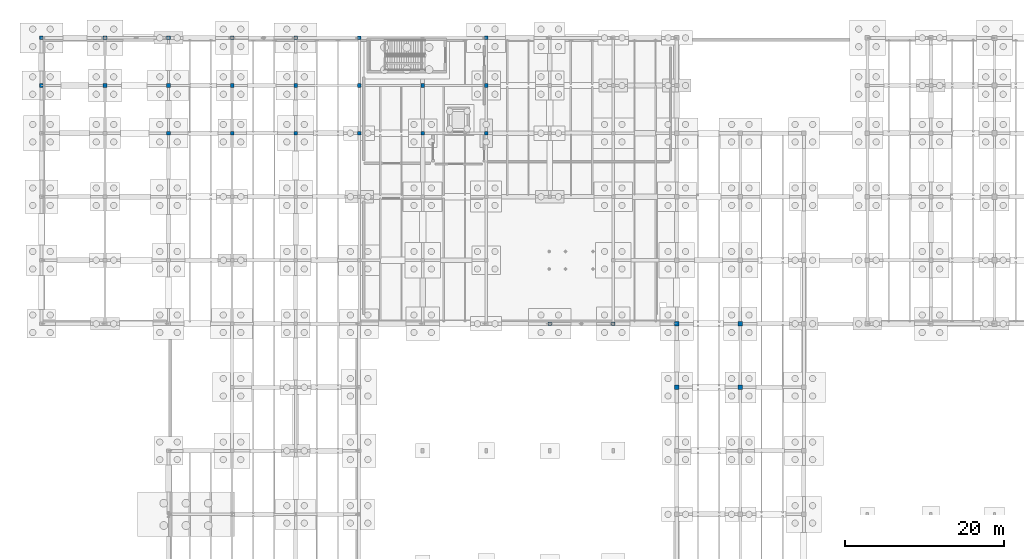
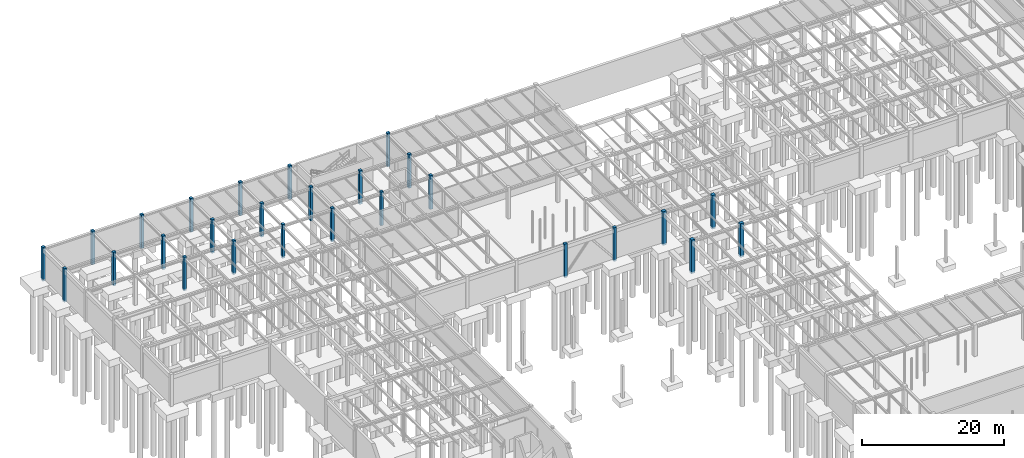
# One storey, part 19 of 71: 27 columns.
"""IFC4 building model written with IfcOpenShell, lengths in metres."""

import ifcopenshell
import ifcopenshell.guid

model = None  # the IFC model being written
_history = None  # IfcOwnerHistory: only IFC2X3 demands one
_inside = {}  # id of a spatial element -> (the spatial element, [elements in it])
_under = {}  # id of a project, library or spatial element -> (it, [spatial elements below it])
_declared = {}  # id of a project -> (the project, [libraries it declares])
_typed = {}  # id of a type object -> (the type object, [elements of that type])
_made_of = {}  # id of a material, layer set ... -> (it, [elements and type objects made of it])


def new_model(schema):
    """Start an empty IFC model of exactly this schema.

    Asked for "IFC4X3", IfcOpenShell would pick the latest addendum, in which some entities
    have other attributes; the version numbers below select the first issue.
    IFC2X3 requires an IfcOwnerHistory on every rooted entity: one is made here for all.
    """
    global model, _history
    if schema == "IFC4X3":
        model = ifcopenshell.file(schema_version=(4, 3, 0, 0))
    else:
        model = ifcopenshell.file(schema=schema)
    _inside.clear()
    _under.clear()
    _declared.clear()
    _typed.clear()
    _made_of.clear()
    _history = None
    if model.schema == "IFC2X3":
        org = make("IfcOrganization", Name="unknown")
        user = make(
            "IfcPersonAndOrganization",
            ThePerson=make("IfcPerson", FamilyName="unknown"),
            TheOrganization=org,
        )
        app = make(
            "IfcApplication",
            ApplicationDeveloper=org,
            Version="unknown",
            ApplicationFullName="unknown",
            ApplicationIdentifier="unknown",
        )
        _history = make(
            "IfcOwnerHistory",
            OwningUser=user,
            OwningApplication=app,
            ChangeAction="ADDED",
            CreationDate=0,
        )
    return model


def make(cls, **values):
    """One entity of the class cls with the attributes given. An attribute that is None is left unset."""
    return model.create_entity(
        cls, **{name: value for name, value in values.items() if value is not None}
    )


def rooted(cls, **values):
    """An entity with a GlobalId (a new one), such as an element, a storey or a relation."""
    return make(cls, GlobalId=ifcopenshell.guid.new(), OwnerHistory=_history, **values)


def si_unit(unit_type, name, prefix=None):
    """IfcSIUnit, for example si_unit("LENGTHUNIT", "METRE", prefix="MILLI")."""
    return make("IfcSIUnit", UnitType=unit_type, Prefix=prefix, Name=name)


def assignment(units):
    """IfcUnitAssignment: the units of a project."""
    return None if units is None else make("IfcUnitAssignment", Units=units)


def point(xyz):
    """IfcCartesianPoint."""
    return None if xyz is None else make("IfcCartesianPoint", Coordinates=xyz)


def direction(xyz):
    """IfcDirection."""
    return None if xyz is None else make("IfcDirection", DirectionRatios=xyz)


def frame(location, z_axis=None, x_axis=None):
    """IfcAxis2Placement3D, a coordinate frame: its origin and axes. An axis left out is left unset."""
    return make(
        "IfcAxis2Placement3D",
        Location=point(location),
        Axis=direction(z_axis),
        RefDirection=direction(x_axis),
    )


def frame_2d(location, x_axis=None):
    """IfcAxis2Placement2D, a coordinate frame in the plane: its origin and x axis."""
    return make(
        "IfcAxis2Placement2D", Location=point(location), RefDirection=direction(x_axis)
    )


def origin():
    """The frame at (0, 0, 0) with its axes left unset."""
    return frame((0.0, 0.0, 0.0))


def origin_2d():
    """The frame at (0, 0) in the plane with its x axis left unset."""
    return frame_2d((0.0, 0.0))


def place(relative_to, where):
    """IfcLocalPlacement: puts the frame where relative to a parent placement (None: the world)."""
    return make(
        "IfcLocalPlacement", PlacementRelTo=relative_to, RelativePlacement=where
    )


def context(
    kind, dimensions, precision=None, world=None, true_north=None, identifier=None
):
    """IfcGeometricRepresentationContext, for example the 3D "Model" context."""
    return make(
        "IfcGeometricRepresentationContext",
        ContextIdentifier=identifier,
        ContextType=kind,
        CoordinateSpaceDimension=dimensions,
        Precision=precision,
        WorldCoordinateSystem=world,
        TrueNorth=true_north,
    )


def subcontext(parent, identifier, kind, view, scale=None):
    """IfcGeometricRepresentationSubContext, for example "Body" below "Model"."""
    return make(
        "IfcGeometricRepresentationSubContext",
        ContextIdentifier=identifier,
        ContextType=kind,
        ParentContext=parent,
        TargetScale=scale,
        TargetView=view,
    )


def project(units=None, contexts=None):
    """IfcProject with its units and contexts."""
    return rooted(
        "IfcProject",
        Name="project",
        RepresentationContexts=contexts,
        UnitsInContext=assignment(units),
    )


def spatial(cls, under=None, at=None, **own):
    """A site, building, storey or space (cls), placed at a placement, below another one or the project."""
    s = rooted(cls, ObjectPlacement=at, **own)
    if under is not None:
        _under.setdefault(under.id(), (under, []))[1].append(s)
    return s


def profile(cls, at=None, kind="AREA", **sizes):
    """A parametric profile (cls). Its sizes go by their IFC names, for example OverallWidth=200.0."""
    return make(cls, ProfileType=kind, Position=at, **sizes)


def rectangle(**sizes):
    """IfcRectangleProfileDef."""
    return profile("IfcRectangleProfileDef", **sizes)


def extrude(swept, where, along, depth):
    """IfcExtrudedAreaSolid: the profile swept, set in the frame where, extruded along a direction by depth."""
    return make(
        "IfcExtrudedAreaSolid",
        SweptArea=swept,
        Position=where,
        ExtrudedDirection=direction(along),
        Depth=depth,
    )


def shape(context_of_items, identifier, shape_type, items):
    """IfcShapeRepresentation: the items that make up one representation, for example the "Body"."""
    return make(
        "IfcShapeRepresentation",
        ContextOfItems=context_of_items,
        RepresentationIdentifier=identifier,
        RepresentationType=shape_type,
        Items=items,
    )


def material(Name=None, Category=None):
    """IfcMaterial."""
    return make("IfcMaterial", Name=Name, Category=Category)


def material_profile(
    of_material, cross_section, Name=None, Category=None, Priority=None
):
    """IfcMaterialProfile: a cross section and its material."""
    return make(
        "IfcMaterialProfile",
        Name=Name,
        Material=of_material,
        Profile=cross_section,
        Priority=Priority,
        Category=Category,
    )


def profile_set(profiles, Name=None, composite=None):
    """IfcMaterialProfileSet."""
    return make(
        "IfcMaterialProfileSet",
        Name=Name,
        MaterialProfiles=profiles,
        CompositeProfile=composite,
    )


def made_of(thing, what):
    """Note that an element or type object is made of a material, layer set ...; save() writes the relation."""
    if what is not None:
        _made_of.setdefault(what.id(), (what, []))[1].append(thing)
    return thing


def type_object(cls, material=None, **own):
    """A type object (cls), such as IfcWallType, which elements share."""
    return made_of(rooted(cls, **own), material)


def element(
    cls,
    number,
    at=None,
    inside=None,
    cuts=None,
    type_object=None,
    material=None,
    context=None,
    identifier="Body",
    shape_type=None,
    held_by="IfcProductDefinitionShape",
    body=None,
    shapes=None,
    **own,
):
    """One element of the class cls, such as IfcWall. Its Tag is "e" and its number.

    at: its placement. inside: the storey or other place that contains it. cuts: it is an
    opening in that element (IfcRelVoidsElement). A single representation is given by context,
    identifier, shape_type and body (its items); several are given by shapes. held_by: the class
    of the entity that holds the representations. save() writes the other relations.
    """
    e = rooted(cls, Tag="e%d" % number, ObjectPlacement=at, **own)
    if body is not None:
        shapes = [shape(context, identifier, shape_type, body)]
    if shapes is not None:
        e.Representation = make(held_by, Representations=shapes)
    if inside is not None:
        _inside.setdefault(inside.id(), (inside, []))[1].append(e)
    if cuts is not None:
        rooted(
            "IfcRelVoidsElement", RelatingBuildingElement=cuts, RelatedOpeningElement=e
        )
    if type_object is not None:
        _typed.setdefault(type_object.id(), (type_object, []))[1].append(e)
    return made_of(e, material)


def aggregate(whole, parts):
    """IfcRelAggregates: a whole, such as a stair, and the parts it consists of."""
    return rooted("IfcRelAggregates", RelatingObject=whole, RelatedObjects=parts)


def save(model, path):
    """Write the relations noted so far, then the file.

    IfcRelAggregates (storeys below a building ...), IfcRelContainedInSpatialStructure (elements
    in a storey), IfcRelDefinesByType, IfcRelAssociatesMaterial and IfcRelDeclares: one each for
    every whole, place, type object, material and project.
    """
    for whole, parts in _under.values():
        aggregate(whole, parts)
    for where, things in _inside.values():
        rooted(
            "IfcRelContainedInSpatialStructure",
            RelatedElements=things,
            RelatingStructure=where,
        )
    for kind, things in _typed.values():
        rooted("IfcRelDefinesByType", RelatedObjects=things, RelatingType=kind)
    for what, things in _made_of.values():
        rooted("IfcRelAssociatesMaterial", RelatedObjects=things, RelatingMaterial=what)
    for by, libraries in _declared.values():
        rooted("IfcRelDeclares", RelatingContext=by, RelatedDefinitions=libraries)
    model.write(path)


model = new_model("IFC4")

# Units and contexts
model_context = context("Model", 3, precision=1e-05, world=origin(), true_north=direction((0.0, 1.0)))
body_context = subcontext(model_context, "Body", "Model", "MODEL_VIEW")
ifc_project = project(units=[si_unit("LENGTHUNIT", "METRE"), si_unit("AREAUNIT", "SQUARE_METRE"), si_unit("VOLUMEUNIT", "CUBIC_METRE"), si_unit("PLANEANGLEUNIT", "RADIAN"), si_unit("MASSUNIT", "GRAM", prefix="KILO")], contexts=[model_context])

# Site, building, storey
site_placement = place(None, origin())
site = spatial("IfcSite", under=ifc_project, at=site_placement, CompositionType="ELEMENT")
building_placement = place(site_placement, origin())
building = spatial("IfcBuilding", under=site, at=building_placement, Name="Sundkrona Museum", CompositionType="ELEMENT")
storey_placement = place(building_placement, frame((0.0, 0.0, -5.39990234375)))
storey = spatial("IfcBuildingStorey", under=building, at=storey_placement, Name="B1", CompositionType="ELEMENT", Elevation=-5.39990234375)

# Columns
ifc_material = material(Name="Concrete C40/50", Category="concrete")
ifc_material_profile_1 = material_profile(ifc_material, rectangle(XDim=0.449951171875, YDim=0.449951171875, at=origin_2d()), Name="RC 450x450")
ifc_profile_set_1 = profile_set([ifc_material_profile_1], Name="Concrete C40/50")
column_type_1 = type_object("IfcColumnType", Name="C-RC450", PredefinedType="COLUMN", material=ifc_profile_set_1)
for number, where, z_axis, x_axis, name in (
    (1, (0.0, 108.0, -0.400146484375), (0.0, 0.0, 1.0), (1.0, 0.0, 0.0), "B1 Column Q/1"),
    (2, (0.0, 114.0, -0.400146484375), (0.0, 0.0, 1.0), (1.0, 0.0, 0.0), "B1 Column R/1"),
    (3, (8.0, 108.0, -0.400146484375), (0.0, 0.0, 1.0), (1.0, 0.0, 0.0), "B1 Column Q/2"),
    (4, (8.0, 114.0, -0.400146484375), (0.0, 0.0, 1.0), (1.0, 0.0, 0.0), "B1 Column R/2"),
    (5, (16.0, 102.0, -0.400146484375), (0.0, 0.0, 1.0), (1.0, 0.0, 0.0), "B1 Column P/3"),
    (6, (16.0, 108.0, -0.400146484375), (0.0, 0.0, 1.0), (1.0, 0.0, 0.0), "B1 Column Q/3"),
    (7, (16.0, 114.0, -0.400146484375), (0.0, 0.0, 1.0), (1.0, 0.0, 0.0), "B1 Column R/3"),
    (8, (24.0, 102.0, -0.400146484375), (0.0, 0.0, 1.0), (1.0, 0.0, 0.0), "B1 Column P/4"),
    (9, (24.0, 108.0, -0.400146484375), (0.0, 0.0, 1.0), (1.0, 0.0, 0.0), "B1 Column Q/4"),
    (10, (24.0, 114.0, -0.400146484375), (0.0, 0.0, 1.0), (1.0, 0.0, 0.0), "B1 Column R/4"),
    (11, (32.0, 102.0, -0.400146484375), (0.0, 0.0, 1.0), (1.0, 0.0, 0.0), "B1 Column P/5"),
    (12, (32.0, 108.0, -0.400146484375), (0.0, 0.0, 1.0), (1.0, 0.0, 0.0), "B1 Column Q/5"),
    (13, (32.0, 114.0, -0.400146484375), (0.0, 0.0, 1.0), (1.0, 0.0, 0.0), "B1 Column R/5"),
    (14, (40.0, 102.0, -0.400146484375), (0.0, 0.0, 1.0), (1.0, 0.0, 0.0), "B1 Column P/6"),
    (15, (40.0, 108.0, -0.400146484375), (0.0, 0.0, 1.0), (1.0, 0.0, 0.0), "B1 Column Q/6"),
    (16, (40.0, 114.0, -0.400146484375), (0.0, 0.0, 1.0), (1.0, 0.0, 0.0), "B1 Column R/6"),
    (17, (48.0, 102.0, -0.400146484375), (0.0, 0.0, 1.0), (1.0, 0.0, 0.0), "B1 Column P/7"),
    (18, (48.0, 108.0, -0.400146484375), (0.0, 0.0, 1.0), (1.0, 0.0, 0.0), "B1 Column Q/7"),
    (19, (56.0, 102.0, -0.400146484375), (0.0, 0.0, 1.0), (1.0, 0.0, 0.0), "B1 Column P/8"),
    (20, (56.0, 108.0, -0.400146484375), (0.0, 0.0, 1.0), (1.0, 0.0, 0.0), "B1 Column Q/8"),
    (21, (56.0, 114.0, -0.400146484375), (0.0, 0.0, 1.0), (1.0, 0.0, 0.0), "B1 Column R/8"),
    (22, (64.0, 78.0, -0.400146484375), (0.0, 0.0, 1.0), (1.0, 0.0, 0.0), "B1 Column L/9"),
    (23, (72.0, 78.0, -0.400146484375), (0.0, 0.0, 1.0), (1.0, 0.0, 0.0), "B1 Column L/10"),
):
    element("IfcColumn", number, at=place(storey_placement, frame(where, z_axis=z_axis, x_axis=x_axis)), inside=storey, type_object=column_type_1, Name=name, PredefinedType="COLUMN", context=body_context, shape_type="SweptSolid", body=[
        extrude(rectangle(XDim=0.449951171875, YDim=0.449951171875, at=origin_2d()), origin(), (0.0, 0.0, 1.0), 5.800048828125),
    ])
ifc_material_profile_2 = material_profile(ifc_material, rectangle(XDim=0.550048828125, YDim=0.550048828125, at=origin_2d()), Name="RC 550x550")
ifc_profile_set_2 = profile_set([ifc_material_profile_2], Name="Concrete C40/50")
column_type_2 = type_object("IfcColumnType", Name="C-RC550", PredefinedType="COLUMN", material=ifc_profile_set_2)
for number, where, z_axis, x_axis, name in (
    (24, (80.0, 70.0, -0.400146484375), (0.0, 0.0, 1.0), (1.0, 0.0, 0.0), "B1 Column K/11"),
    (25, (80.0, 78.0, -0.400146484375), (0.0, 0.0, 1.0), (1.0, 0.0, 0.0), "B1 Column L/11"),
    (26, (88.0, 70.0, -0.400146484375), (0.0, 0.0, 1.0), (1.0, 0.0, 0.0), "B1 Column K/12"),
    (27, (88.0, 78.0, -0.400146484375), (0.0, 0.0, 1.0), (1.0, 0.0, 0.0), "B1 Column L/12"),
):
    element("IfcColumn", number, at=place(storey_placement, frame(where, z_axis=z_axis, x_axis=x_axis)), inside=storey, type_object=column_type_2, Name=name, PredefinedType="COLUMN", context=body_context, shape_type="SweptSolid", body=[
        extrude(rectangle(XDim=0.550048828125, YDim=0.550048828125, at=origin_2d()), origin(), (0.0, 0.0, 1.0), 5.800048828125),
    ])

save(model, "model.ifc")
